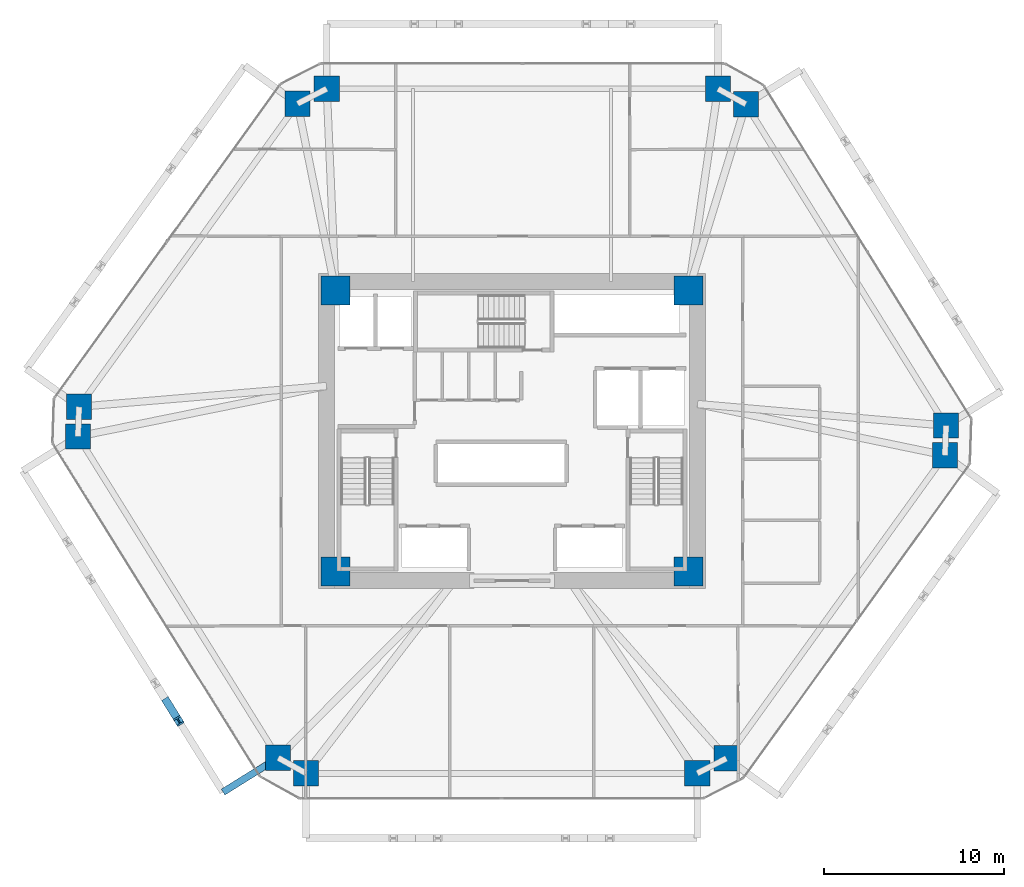
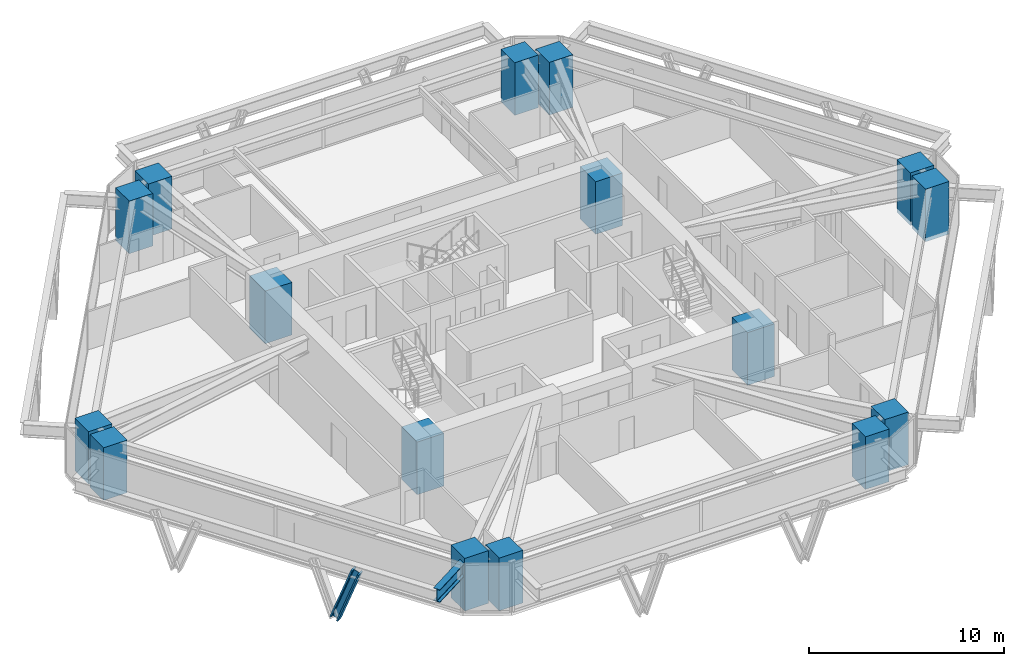
# One storey, part 1 of 15: 16 columns, 1 beam, 1 member.
"""IFC4 building model written with IfcOpenShell, lengths in metres."""

from ifc_helpers import new_model, si_unit, direction, frame, origin, origin_2d, place, context, subcontext, project, spatial, rectangle, i_section, extrude, source, transform, mapped, material, material_profile, profile_set, type_object, type_shapes, element, save


model = new_model("IFC4")

# Units and contexts
model_context = context("Model", 3, precision=1e-05, world=origin(), true_north=direction((0.0, 1.0)))
body_context = subcontext(model_context, "Body", "Model", "MODEL_VIEW")
ifc_project = project(units=[si_unit("LENGTHUNIT", "METRE"), si_unit("AREAUNIT", "SQUARE_METRE"), si_unit("VOLUMEUNIT", "CUBIC_METRE"), si_unit("PLANEANGLEUNIT", "RADIAN"), si_unit("MASSUNIT", "GRAM", prefix="KILO")], contexts=[model_context])

# Site, building, storey
site_placement = place(None, origin())
site = spatial("IfcSite", under=ifc_project, at=site_placement, CompositionType="ELEMENT")
building_placement = place(site_placement, origin())
building = spatial("IfcBuilding", under=site, at=building_placement, Name="Durnholm Broadcast Tower", CompositionType="ELEMENT")
storey_placement = place(building_placement, frame((0.0, 0.0, 55.5)))
storey = spatial("IfcBuildingStorey", under=building, at=storey_placement, Name="L13", CompositionType="ELEMENT", Elevation=55.5)

# Columns
ifc_material_1 = material(Name="Concrete C70/85", Category="concrete")
ifc_material_profile_1 = material_profile(ifc_material_1, rectangle(XDim=1.60009765625, YDim=1.60009765625, at=origin_2d()), Name="RC1600X1600")
ifc_profile_set_1 = profile_set([ifc_material_profile_1], Name="Concrete C70/85")
column_type_1 = type_object("IfcColumnType", Name="COL-CC-1600", PredefinedType="COLUMN", material=ifc_profile_set_1)
shared_shape_1 = source(origin(), body_context, "Body", "SweptSolid", [
    extrude(rectangle(XDim=1.60009765625, YDim=1.60009765625, at=origin_2d()), origin(), (0.0, 0.0, 1.0), 3.300048828125),
])
type_shapes(column_type_1, [shared_shape_1])
for number, where, z_axis, x_axis, name in (
    (1, (-9.800048828125, -7.800048828125, -0.239990234375), (0.0, 0.0, 1.0), (1.0, 0.0, 0.0), "L13 core corner column 1"),
    (2, (9.800048828125, -7.800048828125, -0.239990234375), (0.0, 0.0, 1.0), (1.0, 0.0, 0.0), "L13 core corner column 2"),
    (3, (9.800048828125, 7.800048828125, -0.239990234375), (0.0, 0.0, 1.0), (1.0, 0.0, 0.0), "L13 core corner column 3"),
    (4, (-9.800048828125, 7.800048828125, -0.239990234375), (0.0, 0.0, 1.0), (1.0, 0.0, 0.0), "L13 core corner column 4"),
):
    element("IfcColumn", number, at=place(storey_placement, frame(where, z_axis=z_axis, x_axis=x_axis)), inside=storey, type_object=column_type_1, Name=name, PredefinedType="COLUMN", context=body_context, shape_type="MappedRepresentation", body=[
        mapped(shared_shape_1, transform((0.0, 0.0, 0.0), x_axis=(1.0, 0.0, 0.0), y_axis=(0.0, 1.0, 0.0), z_axis=(0.0, 0.0, 1.0), scale=1.0)),
    ])
ifc_material_profile_2 = material_profile(ifc_material_1, rectangle(XDim=1.39990234375, YDim=1.39990234375, at=origin_2d()), Name="RC1400X1400")
ifc_profile_set_2 = profile_set([ifc_material_profile_2], Name="Concrete C70/85")
column_type_2 = type_object("IfcColumnType", Name="COL-CC-1400", PredefinedType="COLUMN", material=ifc_profile_set_2)
shared_shape_2 = source(origin(), body_context, "Body", "SweptSolid", [
    extrude(rectangle(XDim=1.39990234375, YDim=1.39990234375, at=origin_2d()), origin(), (0.0, 0.0, 1.0), 3.300048828125),
])
type_shapes(column_type_2, [shared_shape_2])
for number, where, z_axis, x_axis, name in (
    (5, (-12.982666015625, -18.138427734375, -0.239990234375), (0.0, 0.0, 1.0), (1.0, 0.0, 0.0), "L13 perimeter hexagonal tube column 01"),
    (6, (-24.0908203125, -0.2998046875, -0.239990234375), (0.0, 0.0, 1.0), (1.0, 0.0, 0.0), "L13 perimeter hexagonal tube column 02"),
    (7, (-24.034912109375, 1.347412109375, -0.239990234375), (0.0, 0.0, 1.0), (1.0, 0.0, 0.0), "L13 perimeter hexagonal tube column 03"),
    (8, (-11.907470703125, 18.16845703125, -0.239990234375), (0.0, 0.0, 1.0), (1.0, 0.0, 0.0), "L13 perimeter hexagonal tube column 04"),
    (9, (-10.28271484375, 19.0, -0.239990234375), (0.0, 0.0, 1.0), (1.0, 0.0, 0.0), "L13 perimeter hexagonal tube column 05"),
    (10, (11.43115234375, 19.0, -0.239990234375), (0.0, 0.0, 1.0), (1.0, 0.0, 0.0), "L13 perimeter hexagonal tube column 06"),
    (11, (12.982666015625, 18.138427734375, -0.239990234375), (0.0, 0.0, 1.0), (1.0, 0.0, 0.0), "L13 perimeter hexagonal tube column 07"),
    (12, (24.0908203125, 0.2998046875, -0.239990234375), (0.0, 0.0, 1.0), (1.0, 0.0, 0.0), "L13 perimeter hexagonal tube column 08"),
    (13, (24.034912109375, -1.347412109375, -0.239990234375), (0.0, 0.0, 1.0), (1.0, 0.0, 0.0), "L13 perimeter hexagonal tube column 09"),
    (14, (11.907470703125, -18.16845703125, -0.239990234375), (0.0, 0.0, 1.0), (1.0, 0.0, 0.0), "L13 perimeter hexagonal tube column 10"),
    (15, (10.28271484375, -19.0, -0.239990234375), (0.0, 0.0, 1.0), (1.0, 0.0, 0.0), "L13 perimeter hexagonal tube column 11"),
    (16, (-11.43115234375, -19.0, -0.239990234375), (0.0, 0.0, 1.0), (1.0, 0.0, 0.0), "L13 perimeter hexagonal tube column 12"),
):
    element("IfcColumn", number, at=place(storey_placement, frame(where, z_axis=z_axis, x_axis=x_axis)), inside=storey, type_object=column_type_2, Name=name, PredefinedType="COLUMN", context=body_context, shape_type="MappedRepresentation", body=[
        mapped(shared_shape_2, transform((0.0, 0.0, 0.0), x_axis=(1.0, 0.0, 0.0), y_axis=(0.0, 1.0, 0.0), z_axis=(0.0, 0.0, 1.0), scale=1.0)),
    ])

# Beam
ifc_material_2 = material(Name="Steel ASTM A992 Grade 50", Category="steel")
ifc_material_profile_3 = material_profile(ifc_material_2, i_section(OverallWidth=0.385009765625, OverallDepth=0.802978515625, WebThickness=0.023681640625, FlangeThickness=0.0419921875, FilletRadius=0.032958984375, at=origin_2d()), Name="W30X261")
ifc_profile_set_3 = profile_set([ifc_material_profile_3], Name="Steel ASTM A992 Grade 50")
beam_type = type_object("IfcBeamType", Name="BM-EXO-TIE", PredefinedType="USERDEFINED", material=ifc_profile_set_3)
shared_shape_3 = source(origin(), body_context, "Body", "SweptSolid", [
    extrude(i_section(OverallWidth=0.385009765625, OverallDepth=0.802978515625, WebThickness=0.023681640625, FlangeThickness=0.0419921875, FilletRadius=0.032958984375, at=origin_2d()), origin(), (0.0, 0.0, 1.0), 3.4560546875),
])
type_shapes(beam_type, [shared_shape_3])
beam_placement = place(storey_placement, frame((-13.10498046875, -18.214599609375, 2.30859375), z_axis=(-0.848854443891, -0.528626648105, 0.0), x_axis=(0.528626648105, -0.848854443891, 0.0)))
element("IfcBeam", 17, at=beam_placement, inside=storey, type_object=beam_type, Name="L13 exoskeleton stand-off tie bracket F6.2", ObjectType="GIRDER", PredefinedType="USERDEFINED", context=body_context, shape_type="MappedRepresentation", body=[
    mapped(shared_shape_3, transform((0.0, 0.0, 0.0), x_axis=(1.0, 0.0, 0.0), y_axis=(0.0, 1.0, 0.0), z_axis=(0.0, 0.0, 1.0), scale=1.0)),
])

# Member
ifc_material_3 = material(Name="Steel ASTM A913 Grade 65", Category="steel")
ifc_material_profile_4 = material_profile(ifc_material_3, i_section(OverallWidth=0.43212890625, OverallDepth=0.497802734375, WebThickness=0.0556640625, FlangeThickness=0.0888671875, FilletRadius=0.030517578125, at=origin_2d()), Name="W14X500")
ifc_profile_set_4 = profile_set([ifc_material_profile_4], Name="Steel ASTM A913 Grade 65")
member_type = type_object("IfcMemberType", Name="STL-DG-W14X500", PredefinedType="BRACE", material=ifc_profile_set_4)
shared_shape_4 = source(origin(), body_context, "Body", "SweptSolid", [
    extrude(i_section(OverallWidth=0.43212890625, OverallDepth=0.497802734375, WebThickness=0.0556640625, FlangeThickness=0.0888671875, FilletRadius=0.030517578125, at=origin_2d()), origin(), (0.0, 0.0, 1.0), 3.523193359375),
])
type_shapes(member_type, [shared_shape_4])
member_placement = place(storey_placement, frame((-19.14892578125, -15.04638671875, -0.991455078125), z_axis=(0.185090383068, -0.297281072018, 0.936677913861), x_axis=(0.848908635391, 0.528539618911, 0.0)))
element("IfcMember", 18, at=member_placement, inside=storey, type_object=member_type, Name="L13 stand-off diagrid brace F6.D2.2", PredefinedType="BRACE", context=body_context, shape_type="MappedRepresentation", body=[
    mapped(shared_shape_4, transform((0.0, 0.0, 0.0), x_axis=(1.0, 0.0, 0.0), y_axis=(0.0, 1.0, 0.0), z_axis=(0.0, 0.0, 1.0), scale=1.0)),
])

save(model, "model.ifc")
